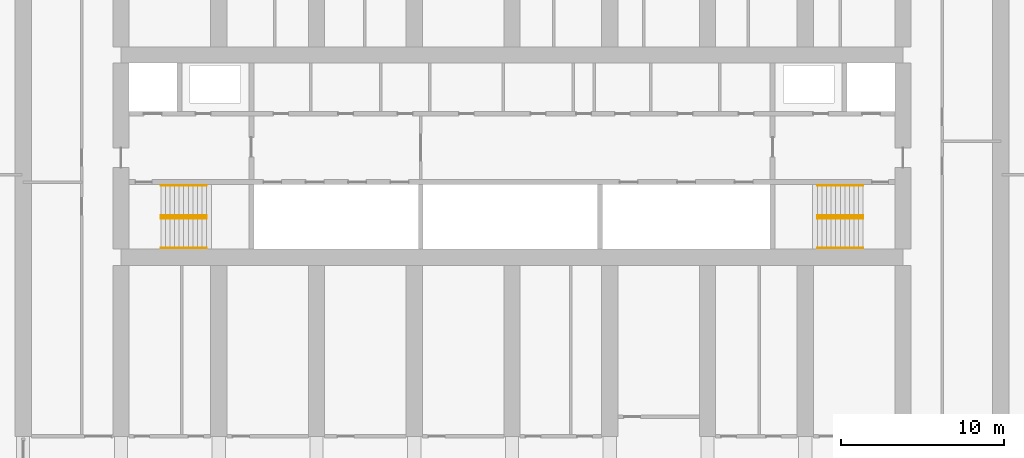
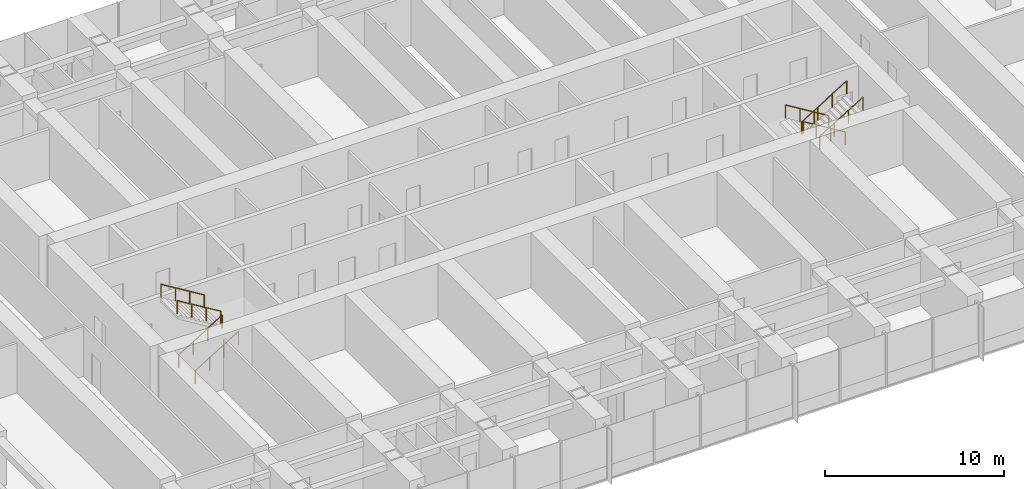
# One storey, part 23 of 23: 8 railings.
"""IFC4 building model written with IfcOpenShell, lengths in metres."""

import ifcopenshell
import ifcopenshell.guid

model = None  # the IFC model being written
_history = None  # IfcOwnerHistory: only IFC2X3 demands one
_inside = {}  # id of a spatial element -> (the spatial element, [elements in it])
_under = {}  # id of a project, library or spatial element -> (it, [spatial elements below it])
_declared = {}  # id of a project -> (the project, [libraries it declares])
_typed = {}  # id of a type object -> (the type object, [elements of that type])
_made_of = {}  # id of a material, layer set ... -> (it, [elements and type objects made of it])


def new_model(schema):
    """Start an empty IFC model of exactly this schema.

    Asked for "IFC4X3", IfcOpenShell would pick the latest addendum, in which some entities
    have other attributes; the version numbers below select the first issue.
    IFC2X3 requires an IfcOwnerHistory on every rooted entity: one is made here for all.
    """
    global model, _history
    if schema == "IFC4X3":
        model = ifcopenshell.file(schema_version=(4, 3, 0, 0))
    else:
        model = ifcopenshell.file(schema=schema)
    _inside.clear()
    _under.clear()
    _declared.clear()
    _typed.clear()
    _made_of.clear()
    _history = None
    if model.schema == "IFC2X3":
        org = make("IfcOrganization", Name="unknown")
        user = make(
            "IfcPersonAndOrganization",
            ThePerson=make("IfcPerson", FamilyName="unknown"),
            TheOrganization=org,
        )
        app = make(
            "IfcApplication",
            ApplicationDeveloper=org,
            Version="unknown",
            ApplicationFullName="unknown",
            ApplicationIdentifier="unknown",
        )
        _history = make(
            "IfcOwnerHistory",
            OwningUser=user,
            OwningApplication=app,
            ChangeAction="ADDED",
            CreationDate=0,
        )
    return model


def make(cls, **values):
    """One entity of the class cls with the attributes given. An attribute that is None is left unset."""
    return model.create_entity(
        cls, **{name: value for name, value in values.items() if value is not None}
    )


def rooted(cls, **values):
    """An entity with a GlobalId (a new one), such as an element, a storey or a relation."""
    return make(cls, GlobalId=ifcopenshell.guid.new(), OwnerHistory=_history, **values)


def si_unit(unit_type, name, prefix=None):
    """IfcSIUnit, for example si_unit("LENGTHUNIT", "METRE", prefix="MILLI")."""
    return make("IfcSIUnit", UnitType=unit_type, Prefix=prefix, Name=name)


def assignment(units):
    """IfcUnitAssignment: the units of a project."""
    return None if units is None else make("IfcUnitAssignment", Units=units)


def point(xyz):
    """IfcCartesianPoint."""
    return None if xyz is None else make("IfcCartesianPoint", Coordinates=xyz)


def direction(xyz):
    """IfcDirection."""
    return None if xyz is None else make("IfcDirection", DirectionRatios=xyz)


def frame(location, z_axis=None, x_axis=None):
    """IfcAxis2Placement3D, a coordinate frame: its origin and axes. An axis left out is left unset."""
    return make(
        "IfcAxis2Placement3D",
        Location=point(location),
        Axis=direction(z_axis),
        RefDirection=direction(x_axis),
    )


def frame_2d(location, x_axis=None):
    """IfcAxis2Placement2D, a coordinate frame in the plane: its origin and x axis."""
    return make(
        "IfcAxis2Placement2D", Location=point(location), RefDirection=direction(x_axis)
    )


def origin():
    """The frame at (0, 0, 0) with its axes left unset."""
    return frame((0.0, 0.0, 0.0))


def origin_2d():
    """The frame at (0, 0) in the plane with its x axis left unset."""
    return frame_2d((0.0, 0.0))


def place(relative_to, where):
    """IfcLocalPlacement: puts the frame where relative to a parent placement (None: the world)."""
    return make(
        "IfcLocalPlacement", PlacementRelTo=relative_to, RelativePlacement=where
    )


def context(
    kind, dimensions, precision=None, world=None, true_north=None, identifier=None
):
    """IfcGeometricRepresentationContext, for example the 3D "Model" context."""
    return make(
        "IfcGeometricRepresentationContext",
        ContextIdentifier=identifier,
        ContextType=kind,
        CoordinateSpaceDimension=dimensions,
        Precision=precision,
        WorldCoordinateSystem=world,
        TrueNorth=true_north,
    )


def subcontext(parent, identifier, kind, view, scale=None):
    """IfcGeometricRepresentationSubContext, for example "Body" below "Model"."""
    return make(
        "IfcGeometricRepresentationSubContext",
        ContextIdentifier=identifier,
        ContextType=kind,
        ParentContext=parent,
        TargetScale=scale,
        TargetView=view,
    )


def project(units=None, contexts=None):
    """IfcProject with its units and contexts."""
    return rooted(
        "IfcProject",
        Name="project",
        RepresentationContexts=contexts,
        UnitsInContext=assignment(units),
    )


def spatial(cls, under=None, at=None, **own):
    """A site, building, storey or space (cls), placed at a placement, below another one or the project."""
    s = rooted(cls, ObjectPlacement=at, **own)
    if under is not None:
        _under.setdefault(under.id(), (under, []))[1].append(s)
    return s


def profile(cls, at=None, kind="AREA", **sizes):
    """A parametric profile (cls). Its sizes go by their IFC names, for example OverallWidth=200.0."""
    return make(cls, ProfileType=kind, Position=at, **sizes)


def circle(**sizes):
    """IfcCircleProfileDef."""
    return profile("IfcCircleProfileDef", **sizes)


def extrude(swept, where, along, depth):
    """IfcExtrudedAreaSolid: the profile swept, set in the frame where, extruded along a direction by depth."""
    return make(
        "IfcExtrudedAreaSolid",
        SweptArea=swept,
        Position=where,
        ExtrudedDirection=direction(along),
        Depth=depth,
    )


def shape(context_of_items, identifier, shape_type, items):
    """IfcShapeRepresentation: the items that make up one representation, for example the "Body"."""
    return make(
        "IfcShapeRepresentation",
        ContextOfItems=context_of_items,
        RepresentationIdentifier=identifier,
        RepresentationType=shape_type,
        Items=items,
    )


def material(Name=None, Category=None):
    """IfcMaterial."""
    return make("IfcMaterial", Name=Name, Category=Category)


def made_of(thing, what):
    """Note that an element or type object is made of a material, layer set ...; save() writes the relation."""
    if what is not None:
        _made_of.setdefault(what.id(), (what, []))[1].append(thing)
    return thing


def type_object(cls, material=None, **own):
    """A type object (cls), such as IfcWallType, which elements share."""
    return made_of(rooted(cls, **own), material)


def element(
    cls,
    number,
    at=None,
    inside=None,
    cuts=None,
    type_object=None,
    material=None,
    context=None,
    identifier="Body",
    shape_type=None,
    held_by="IfcProductDefinitionShape",
    body=None,
    shapes=None,
    **own,
):
    """One element of the class cls, such as IfcWall. Its Tag is "e" and its number.

    at: its placement. inside: the storey or other place that contains it. cuts: it is an
    opening in that element (IfcRelVoidsElement). A single representation is given by context,
    identifier, shape_type and body (its items); several are given by shapes. held_by: the class
    of the entity that holds the representations. save() writes the other relations.
    """
    e = rooted(cls, Tag="e%d" % number, ObjectPlacement=at, **own)
    if body is not None:
        shapes = [shape(context, identifier, shape_type, body)]
    if shapes is not None:
        e.Representation = make(held_by, Representations=shapes)
    if inside is not None:
        _inside.setdefault(inside.id(), (inside, []))[1].append(e)
    if cuts is not None:
        rooted(
            "IfcRelVoidsElement", RelatingBuildingElement=cuts, RelatedOpeningElement=e
        )
    if type_object is not None:
        _typed.setdefault(type_object.id(), (type_object, []))[1].append(e)
    return made_of(e, material)


def aggregate(whole, parts):
    """IfcRelAggregates: a whole, such as a stair, and the parts it consists of."""
    return rooted("IfcRelAggregates", RelatingObject=whole, RelatedObjects=parts)


def save(model, path):
    """Write the relations noted so far, then the file.

    IfcRelAggregates (storeys below a building ...), IfcRelContainedInSpatialStructure (elements
    in a storey), IfcRelDefinesByType, IfcRelAssociatesMaterial and IfcRelDeclares: one each for
    every whole, place, type object, material and project.
    """
    for whole, parts in _under.values():
        aggregate(whole, parts)
    for where, things in _inside.values():
        rooted(
            "IfcRelContainedInSpatialStructure",
            RelatedElements=things,
            RelatingStructure=where,
        )
    for kind, things in _typed.values():
        rooted("IfcRelDefinesByType", RelatedObjects=things, RelatingType=kind)
    for what, things in _made_of.values():
        rooted("IfcRelAssociatesMaterial", RelatedObjects=things, RelatingMaterial=what)
    for by, libraries in _declared.values():
        rooted("IfcRelDeclares", RelatingContext=by, RelatedDefinitions=libraries)
    model.write(path)


model = new_model("IFC4")

# Units and contexts
model_context = context("Model", 3, precision=1e-05, world=origin(), true_north=direction((0.0, 1.0)))
body_context = subcontext(model_context, "Body", "Model", "MODEL_VIEW")
ifc_project = project(units=[si_unit("LENGTHUNIT", "METRE"), si_unit("AREAUNIT", "SQUARE_METRE"), si_unit("VOLUMEUNIT", "CUBIC_METRE"), si_unit("PLANEANGLEUNIT", "RADIAN"), si_unit("MASSUNIT", "GRAM", prefix="KILO")], contexts=[model_context])

# Site, building, storey
site_placement = place(None, origin())
site = spatial("IfcSite", under=ifc_project, at=site_placement, CompositionType="ELEMENT")
building_placement = place(site_placement, origin())
building = spatial("IfcBuilding", under=site, at=building_placement, Name="Orbita Commons", CompositionType="ELEMENT")
storey_placement = place(building_placement, frame((0.0, 0.0, 65.199951171875)))
storey = spatial("IfcBuildingStorey", under=building, at=storey_placement, Name="L16", CompositionType="ELEMENT", Elevation=65.199951171875)

# Railings
ifc_material = material(Name="Steel tube, painted", Category="steel")
railing_type = type_object("IfcRailingType", Name="Stair handrail steel tube 900", PredefinedType="HANDRAIL", material=ifc_material)
for number, where, name in (
    (1, (20.449951171875, 28.18994140625, 0.17041015625), "Stair S1 handrail L16 flight 1"),
    (2, (20.449951171875, 26.360107421875, 0.17041015625), "Stair S1 handrail L16 flight 1"),
):
    element("IfcRailing", number, at=place(storey_placement, frame(where)), inside=storey, type_object=railing_type, Name=name, PredefinedType="HANDRAIL", context=body_context, shape_type="SweptSolid", body=[
        extrude(circle(Radius=0.02099609375, at=origin_2d()), frame((0.0, 0.0, 0.87890625), z_axis=(0.854169791009, 0.0, 0.51999420009), x_axis=(0.0, 1.0, 0.0)), (0.0, 0.0, 1.0), 3.278076171875),
        extrude(circle(Radius=0.02001953125, at=origin_2d()), origin(), (0.0, 0.0, 1.0), 0.85791015625),
        extrude(circle(Radius=0.02001953125, at=origin_2d()), frame((0.933349609375, 0.0, 0.568115234375)), (0.0, 0.0, 1.0), 0.85791015625),
        extrude(circle(Radius=0.02001953125, at=origin_2d()), frame((1.86669921875, 0.0, 1.136474609375)), (0.0, 0.0, 1.0), 0.85791015625),
        extrude(circle(Radius=0.02001953125, at=origin_2d()), frame((2.800048828125, 0.0, 1.70458984375)), (0.0, 0.0, 1.0), 0.85791015625),
    ])
for number, where, name in (
    (3, (23.25, 28.360107421875, 2.04541015625), "Stair S1 handrail L16 flight 2"),
    (4, (23.25, 30.18994140625, 2.04541015625), "Stair S1 handrail L16 flight 2"),
    (5, (63.550048828125, 28.360107421875, 0.17041015625), "Stair S2 handrail L16 flight 1"),
    (6, (63.550048828125, 30.18994140625, 0.17041015625), "Stair S2 handrail L16 flight 1"),
):
    element("IfcRailing", number, at=place(storey_placement, frame(where)), inside=storey, type_object=railing_type, Name=name, PredefinedType="HANDRAIL", context=body_context, shape_type="SweptSolid", body=[
        extrude(circle(Radius=0.02099609375, at=origin_2d()), frame((0.0, 0.0, 0.87890625), z_axis=(-0.854169791009, 0.0, 0.51999420009), x_axis=(0.0, -1.0, 0.0)), (0.0, 0.0, 1.0), 3.278076171875),
        extrude(circle(Radius=0.02001953125, at=origin_2d()), origin(), (0.0, 0.0, 1.0), 0.85791015625),
        extrude(circle(Radius=0.02001953125, at=origin_2d()), frame((-0.933349609375, 0.0, 0.568115234375)), (0.0, 0.0, 1.0), 0.85791015625),
        extrude(circle(Radius=0.02001953125, at=origin_2d()), frame((-1.86669921875, 0.0, 1.136474609375)), (0.0, 0.0, 1.0), 0.85791015625),
        extrude(circle(Radius=0.02001953125, at=origin_2d()), frame((-2.800048828125, 0.0, 1.70458984375)), (0.0, 0.0, 1.0), 0.85791015625),
    ])
for number, where, name in (
    (7, (60.75, 28.18994140625, 2.04541015625), "Stair S2 handrail L16 flight 2"),
    (8, (60.75, 26.360107421875, 2.04541015625), "Stair S2 handrail L16 flight 2"),
):
    element("IfcRailing", number, at=place(storey_placement, frame(where)), inside=storey, type_object=railing_type, Name=name, PredefinedType="HANDRAIL", context=body_context, shape_type="SweptSolid", body=[
        extrude(circle(Radius=0.02099609375, at=origin_2d()), frame((0.0, 0.0, 0.87890625), z_axis=(0.854169791009, 0.0, 0.51999420009), x_axis=(0.0, 1.0, 0.0)), (0.0, 0.0, 1.0), 3.278076171875),
        extrude(circle(Radius=0.02001953125, at=origin_2d()), origin(), (0.0, 0.0, 1.0), 0.85791015625),
        extrude(circle(Radius=0.02001953125, at=origin_2d()), frame((0.933349609375, 0.0, 0.568115234375)), (0.0, 0.0, 1.0), 0.85791015625),
        extrude(circle(Radius=0.02001953125, at=origin_2d()), frame((1.86669921875, 0.0, 1.136474609375)), (0.0, 0.0, 1.0), 0.85791015625),
        extrude(circle(Radius=0.02001953125, at=origin_2d()), frame((2.800048828125, 0.0, 1.70458984375)), (0.0, 0.0, 1.0), 0.85791015625),
    ])

save(model, "model.ifc")
